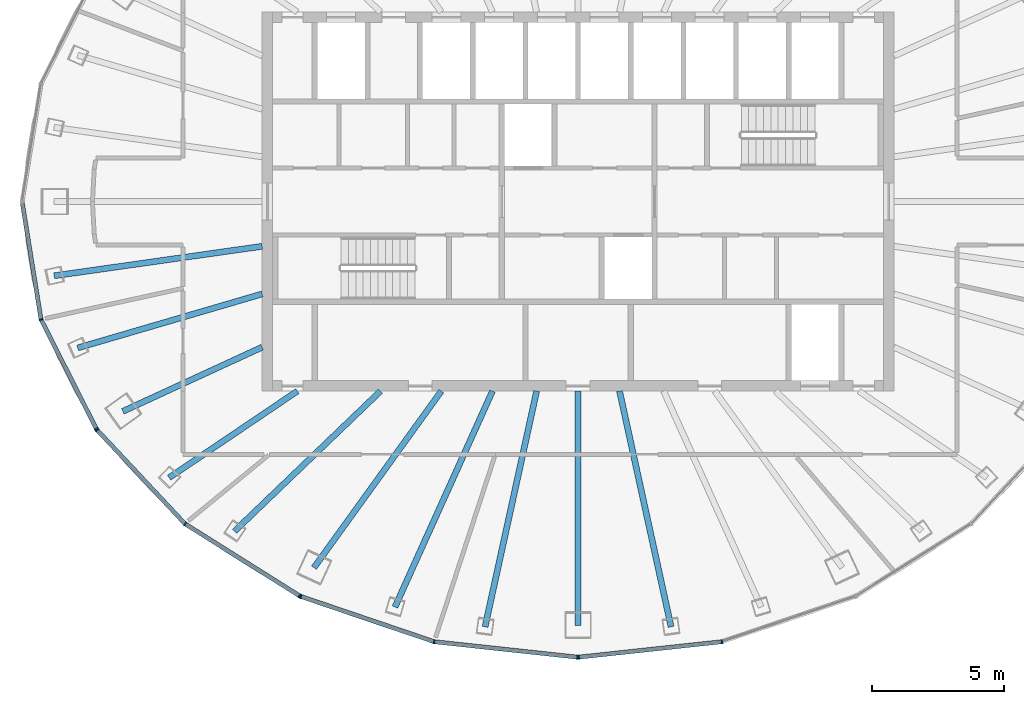
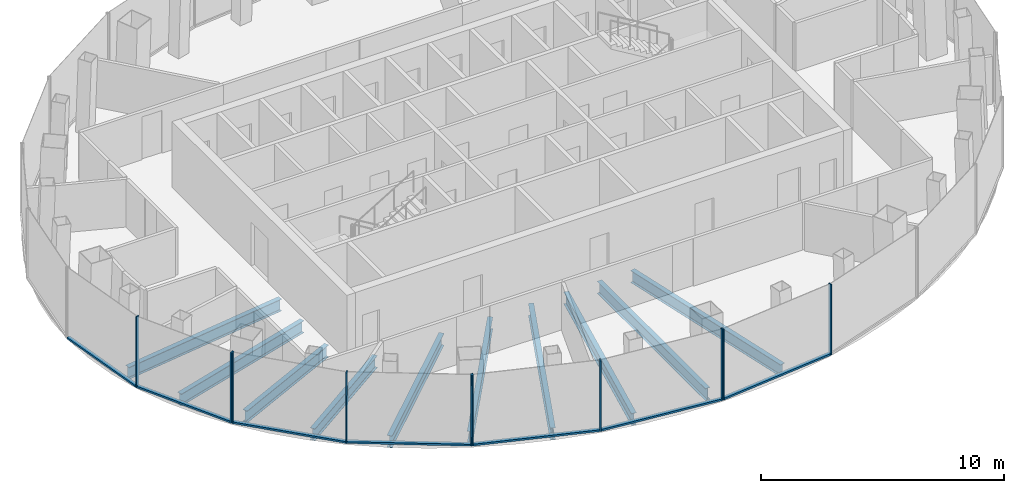
# One storey, part 2 of 11: 17 members, 10 beams, 4 elements without a shape of their own.
"""IFC4 building model written with IfcOpenShell, lengths in metres."""

from ifc_helpers import new_model, si_unit, direction, frame, origin, origin_2d, place, context, subcontext, project, spatial, rectangle, i_section, extrude, material, layer, layer_set, material_profile, profile_set, type_object, element, aggregate, save


model = new_model("IFC4")

# Units and contexts
model_context = context("Model", 3, precision=1e-05, world=origin(), true_north=direction((0.0, 1.0)))
body_context = subcontext(model_context, "Body", "Model", "MODEL_VIEW")
ifc_project = project(units=[si_unit("LENGTHUNIT", "METRE"), si_unit("AREAUNIT", "SQUARE_METRE"), si_unit("VOLUMEUNIT", "CUBIC_METRE"), si_unit("PLANEANGLEUNIT", "RADIAN"), si_unit("MASSUNIT", "GRAM", prefix="KILO")], contexts=[model_context])

# Site, building, storey
site_placement = place(None, origin())
site = spatial("IfcSite", under=ifc_project, at=site_placement, CompositionType="ELEMENT")
building_placement = place(site_placement, origin())
building = spatial("IfcBuilding", under=site, at=building_placement, Name="Siaravel Broadcast Tower", CompositionType="ELEMENT")
storey_placement = place(building_placement, frame((0.0, 0.0, 246.699951171875)))
storey = spatial("IfcBuildingStorey", under=building, at=storey_placement, Name="L60", CompositionType="ELEMENT", Elevation=246.699951171875)

# Beams
ifc_material_1 = material(Name="Steel S355", Category="steel")
ifc_material_profile_1 = material_profile(ifc_material_1, i_section(OverallWidth=0.2275390625, OverallDepth=0.6025390625, WebThickness=0.010498046875, FlangeThickness=0.014892578125, FilletRadius=0.0126953125, at=origin_2d()))
ifc_profile_set_1 = profile_set([ifc_material_profile_1], Name="Steel S355")
beam_type = type_object("IfcBeamType", Name="BM-UB 610x229x101", PredefinedType="BEAM", material=ifc_profile_set_1)
beam_1_placement = place(storey_placement, frame((-19.902587890625, -2.819091796875, -0.451171875), z_axis=(0.990116423, 0.140247885, 0.0), x_axis=(-0.140247885, 0.990116423, 0.0)))
element("IfcBeam", 1, at=beam_1_placement, inside=storey, type_object=beam_type, Name="Radial beam RB20", PredefinedType="BEAM", context=body_context, shape_type="SweptSolid", body=[
    extrude(i_section(OverallWidth=0.2275390625, OverallDepth=0.6025390625, WebThickness=0.010498046875, FlangeThickness=0.014892578125, FilletRadius=0.0126953125, at=origin_2d()), origin(), (0.0, 0.0, 1.0), 7.9814453125),
])
beam_2_placement = place(storey_placement, frame((-19.006103515625, -5.559326171875, -0.451171875), z_axis=(0.959783576, 0.28074096, 0.0), x_axis=(-0.28074096, 0.959783576, 0.0)))
element("IfcBeam", 2, at=beam_2_placement, inside=storey, type_object=beam_type, Name="Radial beam RB21", PredefinedType="BEAM", context=body_context, shape_type="SweptSolid", body=[
    extrude(i_section(OverallWidth=0.2275390625, OverallDepth=0.6025390625, WebThickness=0.010498046875, FlangeThickness=0.014892578125, FilletRadius=0.0126953125, at=origin_2d()), origin(), (0.0, 0.0, 1.0), 7.299560546875),
])
beam_3_placement = place(storey_placement, frame((-17.290771484375, -7.968505859375, -0.451171875), z_axis=(0.908198422, 0.418539875, 0.0), x_axis=(-0.418539875, 0.908198422, 0.0)))
element("IfcBeam", 3, at=beam_3_placement, inside=storey, type_object=beam_type, Name="Radial beam RB22", PredefinedType="BEAM", context=body_context, shape_type="SweptSolid", body=[
    extrude(i_section(OverallWidth=0.2275390625, OverallDepth=0.6025390625, WebThickness=0.010498046875, FlangeThickness=0.014892578125, FilletRadius=0.0126953125, at=origin_2d()), origin(), (0.0, 0.0, 1.0), 5.82568359375),
])
beam_4_placement = place(storey_placement, frame((-15.531005859375, -10.486328125, -0.451171875), z_axis=(0.828780717, 0.559573518, 0.0), x_axis=(-0.559573518, 0.828780717, 0.0)))
element("IfcBeam", 4, at=beam_4_placement, inside=storey, type_object=beam_type, Name="Radial beam RB23", PredefinedType="BEAM", context=body_context, shape_type="SweptSolid", body=[
    extrude(i_section(OverallWidth=0.2275390625, OverallDepth=0.6025390625, WebThickness=0.010498046875, FlangeThickness=0.014892578125, FilletRadius=0.0126953125, at=origin_2d()), origin(), (0.0, 0.0, 1.0), 5.873046875),
])
beam_5_placement = place(storey_placement, frame((-13.0478515625, -12.52001953125, -0.451171875), z_axis=(0.721555554, 0.692356543, 0.0), x_axis=(-0.692356543, 0.721555554, 0.0)))
element("IfcBeam", 5, at=beam_5_placement, inside=storey, type_object=beam_type, Name="Radial beam RB24", PredefinedType="BEAM", context=body_context, shape_type="SweptSolid", body=[
    extrude(i_section(OverallWidth=0.2275390625, OverallDepth=0.6025390625, WebThickness=0.010498046875, FlangeThickness=0.014892578125, FilletRadius=0.0126953125, at=origin_2d()), origin(), (0.0, 0.0, 1.0), 7.68408203125),
])
beam_6_placement = place(storey_placement, frame((-10.031494140625, -13.905029296875, -0.451171875), z_axis=(0.585061371, 0.810989021, 0.0), x_axis=(-0.810989021, 0.585061371, 0.0)))
element("IfcBeam", 6, at=beam_6_placement, inside=storey, type_object=beam_type, Name="Radial beam RB25", PredefinedType="BEAM", context=body_context, shape_type="SweptSolid", body=[
    extrude(i_section(OverallWidth=0.2275390625, OverallDepth=0.6025390625, WebThickness=0.010498046875, FlangeThickness=0.014892578125, FilletRadius=0.0126953125, at=origin_2d()), origin(), (0.0, 0.0, 1.0), 8.267822265625),
])
beam_7_placement = place(storey_placement, frame((-6.955078125, -15.400390625, -0.451171875), z_axis=(0.411581634, 0.911372898, 0.0), x_axis=(-0.911372898, 0.411581634, 0.0)))
element("IfcBeam", 7, at=beam_7_placement, inside=storey, type_object=beam_type, Name="Radial beam RB26", PredefinedType="BEAM", context=body_context, shape_type="SweptSolid", body=[
    extrude(i_section(OverallWidth=0.2275390625, OverallDepth=0.6025390625, WebThickness=0.010498046875, FlangeThickness=0.014892578125, FilletRadius=0.0126953125, at=origin_2d()), origin(), (0.0, 0.0, 1.0), 8.997802734375),
])
beam_8_placement = place(storey_placement, frame((-3.532958984375, -16.1513671875, -0.451171875), z_axis=(0.21368496, 0.976902625, 0.0), x_axis=(-0.976902625, 0.21368496, 0.0)))
element("IfcBeam", 8, at=beam_8_placement, inside=storey, type_object=beam_type, Name="Radial beam RB27", PredefinedType="BEAM", context=body_context, shape_type="SweptSolid", body=[
    extrude(i_section(OverallWidth=0.2275390625, OverallDepth=0.6025390625, WebThickness=0.010498046875, FlangeThickness=0.014892578125, FilletRadius=0.0126953125, at=origin_2d()), origin(), (0.0, 0.0, 1.0), 9.1630859375),
])
beam_9_placement = place(storey_placement, frame((0.0, -16.1044921875, -0.451171875), z_axis=(0.0, 1.0, 0.0), x_axis=(-1.0, 0.0, 0.0)))
element("IfcBeam", 9, at=beam_9_placement, inside=storey, type_object=beam_type, Name="Radial beam RB28", PredefinedType="BEAM", context=body_context, shape_type="SweptSolid", body=[
    extrude(i_section(OverallWidth=0.2275390625, OverallDepth=0.6025390625, WebThickness=0.010498046875, FlangeThickness=0.014892578125, FilletRadius=0.0126953125, at=origin_2d()), origin(), (0.0, 0.0, 1.0), 8.904541015625),
])
beam_10_placement = place(storey_placement, frame((3.532958984375, -16.1513671875, -0.451171875), z_axis=(-0.21368496, 0.976902625, 0.0), x_axis=(-0.976902625, -0.21368496, 0.0)))
element("IfcBeam", 10, at=beam_10_placement, inside=storey, type_object=beam_type, Name="Radial beam RB29", PredefinedType="BEAM", context=body_context, shape_type="SweptSolid", body=[
    extrude(i_section(OverallWidth=0.2275390625, OverallDepth=0.6025390625, WebThickness=0.010498046875, FlangeThickness=0.014892578125, FilletRadius=0.0126953125, at=origin_2d()), origin(), (0.0, 0.0, 1.0), 9.1630859375),
])

# Curtain wall, members
ifc_material_2 = material(Name="Aluminium 6063-T6", Category="aluminium")
ifc_layer = layer(ifc_material_2, 0.159912109375)
ifc_layer_set = layer_set([ifc_layer], Name="Aluminium 6063-T6")
curtain_wall_type = type_object("IfcCurtainWallType", Name="Unitised curtain wall, zone 4", PredefinedType="NOTDEFINED", material=ifc_layer_set)
curtain_wall_1_placement = place(storey_placement, origin())
curtain_wall_1 = element("IfcCurtainWall", 11, at=curtain_wall_1_placement, inside=storey, type_object=curtain_wall_type, Name="L60 Unitised curtain wall, zone 4 07", PredefinedType="NOTDEFINED")
ifc_material_profile_2 = material_profile(ifc_material_2, rectangle(XDim=0.159912109375, YDim=0.054931640625, at=origin_2d()))
ifc_profile_set_2 = profile_set([ifc_material_profile_2], Name="Aluminium 6063-T6")
member_type_1 = type_object("IfcMemberType", Name="CW-Z4 mullion", PredefinedType="MULLION", material=ifc_profile_set_2)
member_1_placement = place(storey_placement, frame((-20.3974609375, -4.48193359375, 0.0), z_axis=(0.0, 0.0, 1.0), x_axis=(0.951177611, 0.308644055, 0.0)))
member_1 = element("IfcMember", 12, at=member_1_placement, type_object=member_type_1, Name="CW-Z4 mullion 2", PredefinedType="MULLION", context=body_context, shape_type="SweptSolid", body=[
    extrude(rectangle(XDim=0.159912109375, YDim=0.054931640625, at=origin_2d()), origin(), (0.0, 0.0, 1.0), 3.550048828125),
])
member_2_placement = place(storey_placement, frame((-18.298583984375, -8.6328125, 0.0), z_axis=(0.0, 0.0, 1.0), x_axis=(0.892392891, 0.451259268, 0.0)))
member_2 = element("IfcMember", 13, at=member_2_placement, type_object=member_type_1, Name="CW-Z4 mullion 3", PredefinedType="MULLION", context=body_context, shape_type="SweptSolid", body=[
    extrude(rectangle(XDim=0.159912109375, YDim=0.054931640625, at=origin_2d()), origin(), (0.0, 0.0, 1.0), 3.550048828125),
])

curtain_wall_2_placement = place(storey_placement, origin())
curtain_wall_2 = element("IfcCurtainWall", 14, at=curtain_wall_2_placement, inside=storey, type_object=curtain_wall_type, Name="L60 Unitised curtain wall, zone 4 08", PredefinedType="NOTDEFINED")
member_3_placement = place(storey_placement, frame((-18.267333984375, -8.67724609375, 0.0), z_axis=(0.0, 0.0, 1.0), x_axis=(0.729806527, 0.683653738, 0.0)))
member_3 = element("IfcMember", 15, at=member_3_placement, type_object=member_type_1, Name="CW-Z4 mullion 1", PredefinedType="MULLION", context=body_context, shape_type="SweptSolid", body=[
    extrude(rectangle(XDim=0.159912109375, YDim=0.054931640625, at=origin_2d()), origin(), (0.0, 0.0, 1.0), 3.550048828125),
])
member_4_placement = place(storey_placement, frame((-14.928955078125, -12.2412109375, 0.0), z_axis=(0.0, 0.0, 1.0), x_axis=(0.636219923, 0.771507751, 0.0)))
member_4 = element("IfcMember", 16, at=member_4_placement, type_object=member_type_1, Name="CW-Z4 mullion 2", PredefinedType="MULLION", context=body_context, shape_type="SweptSolid", body=[
    extrude(rectangle(XDim=0.159912109375, YDim=0.054931640625, at=origin_2d()), origin(), (0.0, 0.0, 1.0), 3.550048828125),
])
member_5_placement = place(storey_placement, frame((-10.57861328125, -14.9755859375, 0.0), z_axis=(0.0, 0.0, 1.0), x_axis=(0.532150463, 0.846649801, 0.0)))
member_5 = element("IfcMember", 17, at=member_5_placement, type_object=member_type_1, Name="CW-Z4 mullion 3", PredefinedType="MULLION", context=body_context, shape_type="SweptSolid", body=[
    extrude(rectangle(XDim=0.159912109375, YDim=0.054931640625, at=origin_2d()), origin(), (0.0, 0.0, 1.0), 3.550048828125),
])

curtain_wall_3_placement = place(storey_placement, origin())
curtain_wall_3 = element("IfcCurtainWall", 18, at=curtain_wall_3_placement, inside=storey, type_object=curtain_wall_type, Name="L60 Unitised curtain wall, zone 4 09", PredefinedType="NOTDEFINED")
member_6_placement = place(storey_placement, frame((-10.529296875, -14.998779296875, 0.0), z_axis=(0.0, 0.0, 1.0), x_axis=(0.321301466, 0.946976963, 0.0)))
member_6 = element("IfcMember", 19, at=member_6_placement, type_object=member_type_1, Name="CW-Z4 mullion 1", PredefinedType="MULLION", context=body_context, shape_type="SweptSolid", body=[
    extrude(rectangle(XDim=0.159912109375, YDim=0.054931640625, at=origin_2d()), origin(), (0.0, 0.0, 1.0), 3.550048828125),
])
member_7_placement = place(storey_placement, frame((-5.46337890625, -16.7177734375, 0.0), z_axis=(0.0, 0.0, 1.0), x_axis=(0.215558647, 0.976490896, 0.0)))
member_7 = element("IfcMember", 20, at=member_7_placement, type_object=member_type_1, Name="CW-Z4 mullion 2", PredefinedType="MULLION", context=body_context, shape_type="SweptSolid", body=[
    extrude(rectangle(XDim=0.159912109375, YDim=0.054931640625, at=origin_2d()), origin(), (0.0, 0.0, 1.0), 3.550048828125),
])
member_8_placement = place(storey_placement, frame((-0.02734375, -17.303955078125, 0.0), z_axis=(0.0, 0.0, 1.0), x_axis=(0.107217782, 0.994235559, 0.0)))
member_8 = element("IfcMember", 21, at=member_8_placement, type_object=member_type_1, Name="CW-Z4 mullion 3", PredefinedType="MULLION", context=body_context, shape_type="SweptSolid", body=[
    extrude(rectangle(XDim=0.159912109375, YDim=0.054931640625, at=origin_2d()), origin(), (0.0, 0.0, 1.0), 3.550048828125),
])

curtain_wall_4_placement = place(storey_placement, origin())
curtain_wall_4 = element("IfcCurtainWall", 22, at=curtain_wall_4_placement, inside=storey, type_object=curtain_wall_type, Name="L60 Unitised curtain wall, zone 4 10", PredefinedType="NOTDEFINED")
member_9_placement = place(storey_placement, frame((0.02734375, -17.303955078125, 0.0), z_axis=(0.0, 0.0, 1.0), x_axis=(-0.107217782, 0.994235559, 0.0)))
member_9 = element("IfcMember", 23, at=member_9_placement, type_object=member_type_1, Name="CW-Z4 mullion 1", PredefinedType="MULLION", context=body_context, shape_type="SweptSolid", body=[
    extrude(rectangle(XDim=0.159912109375, YDim=0.054931640625, at=origin_2d()), origin(), (0.0, 0.0, 1.0), 3.550048828125),
])
member_10_placement = place(storey_placement, frame((5.46337890625, -16.7177734375, 0.0), z_axis=(0.0, 0.0, 1.0), x_axis=(-0.215558647, 0.976490896, 0.0)))
member_10 = element("IfcMember", 24, at=member_10_placement, type_object=member_type_1, Name="CW-Z4 mullion 2", PredefinedType="MULLION", context=body_context, shape_type="SweptSolid", body=[
    extrude(rectangle(XDim=0.159912109375, YDim=0.054931640625, at=origin_2d()), origin(), (0.0, 0.0, 1.0), 3.550048828125),
])

# Member
ifc_material_profile_3 = material_profile(ifc_material_2, rectangle(XDim=0.159912109375, YDim=0.090087890625, at=origin_2d()))
ifc_profile_set_3 = profile_set([ifc_material_profile_3], Name="Aluminium 6063-T6")
member_type_2 = type_object("IfcMemberType", Name="CW-Z4 transom", PredefinedType="USERDEFINED", material=ifc_profile_set_3)
member_11_placement = place(storey_placement, frame((-21.109130859375, -0.05419921875, 0.045166015625), z_axis=(0.15868477, -0.987329299, 0.0), x_axis=(0.987329299, 0.15868477, 0.0)))
member_11 = element("IfcMember", 25, at=member_11_placement, type_object=member_type_2, Name="CW-Z4 transom 1", ObjectType="TRANSOM", PredefinedType="USERDEFINED", context=body_context, shape_type="SweptSolid", body=[
    extrude(rectangle(XDim=0.159912109375, YDim=0.090087890625, at=origin_2d()), origin(), (0.0, 0.0, 1.0), 4.45703125),
])

member_12_placement = place(storey_placement, frame((-20.385009765625, -4.506591796875, 0.045166015625), z_axis=(0.451288387, -0.892378166, 0.0), x_axis=(0.892378166, 0.451288387, 0.0)))
member_12 = element("IfcMember", 26, at=member_12_placement, type_object=member_type_2, Name="CW-Z4 transom 2", ObjectType="TRANSOM", PredefinedType="USERDEFINED", context=body_context, shape_type="SweptSolid", body=[
    extrude(rectangle(XDim=0.159912109375, YDim=0.090087890625, at=origin_2d()), origin(), (0.0, 0.0, 1.0), 4.59619140625),
])

aggregate(curtain_wall_1, [member_1, member_2, member_11, member_12])

member_13_placement = place(storey_placement, frame((-18.24853515625, -8.697509765625, 0.045166015625), z_axis=(0.683646721, -0.7298131, 0.0), x_axis=(0.7298131, 0.683646721, 0.0)))
member_13 = element("IfcMember", 27, at=member_13_placement, type_object=member_type_2, Name="CW-Z4 transom 1", ObjectType="TRANSOM", PredefinedType="USERDEFINED", context=body_context, shape_type="SweptSolid", body=[
    extrude(rectangle(XDim=0.159912109375, YDim=0.090087890625, at=origin_2d()), origin(), (0.0, 0.0, 1.0), 4.828125),
])

member_14_placement = place(storey_placement, frame((-14.905517578125, -12.255859375, 0.045166015625), z_axis=(0.84666808, -0.532121379, 0.0), x_axis=(0.532121379, 0.84666808, 0.0)))
member_14 = element("IfcMember", 28, at=member_14_placement, type_object=member_type_2, Name="CW-Z4 transom 2", ObjectType="TRANSOM", PredefinedType="USERDEFINED", context=body_context, shape_type="SweptSolid", body=[
    extrude(rectangle(XDim=0.159912109375, YDim=0.090087890625, at=origin_2d()), origin(), (0.0, 0.0, 1.0), 5.0830078125),
])

aggregate(curtain_wall_2, [member_3, member_4, member_5, member_13, member_14])

member_15_placement = place(storey_placement, frame((-10.503173828125, -15.0078125, 0.045166015625), z_axis=(0.946972687, -0.321314067, 0.0), x_axis=(0.321314067, 0.946972687, 0.0)))
member_15 = element("IfcMember", 29, at=member_15_placement, type_object=member_type_2, Name="CW-Z4 transom 1", ObjectType="TRANSOM", PredefinedType="USERDEFINED", context=body_context, shape_type="SweptSolid", body=[
    extrude(rectangle(XDim=0.159912109375, YDim=0.090087890625, at=origin_2d()), origin(), (0.0, 0.0, 1.0), 5.29443359375),
])

member_16_placement = place(storey_placement, frame((-5.43603515625, -16.720703125, 0.045166015625), z_axis=(0.994235542, -0.107217942, 0.0), x_axis=(0.107217942, 0.994235542, 0.0)))
member_16 = element("IfcMember", 30, at=member_16_placement, type_object=member_type_2, Name="CW-Z4 transom 2", ObjectType="TRANSOM", PredefinedType="USERDEFINED", context=body_context, shape_type="SweptSolid", body=[
    extrude(rectangle(XDim=0.159912109375, YDim=0.090087890625, at=origin_2d()), origin(), (0.0, 0.0, 1.0), 5.41259765625),
])

aggregate(curtain_wall_3, [member_6, member_7, member_8, member_15, member_16])

member_17_placement = place(storey_placement, frame((0.0546875, -17.301025390625, 0.045166015625), z_axis=(0.994235542, 0.107217942, 0.0), x_axis=(-0.107217942, 0.994235542, 0.0)))
member_17 = element("IfcMember", 31, at=member_17_placement, type_object=member_type_2, Name="CW-Z4 transom 1", ObjectType="TRANSOM", PredefinedType="USERDEFINED", context=body_context, shape_type="SweptSolid", body=[
    extrude(rectangle(XDim=0.159912109375, YDim=0.090087890625, at=origin_2d()), origin(), (0.0, 0.0, 1.0), 5.41259765625),
])

aggregate(curtain_wall_4, [member_9, member_10, member_17])

save(model, "model.ifc")
